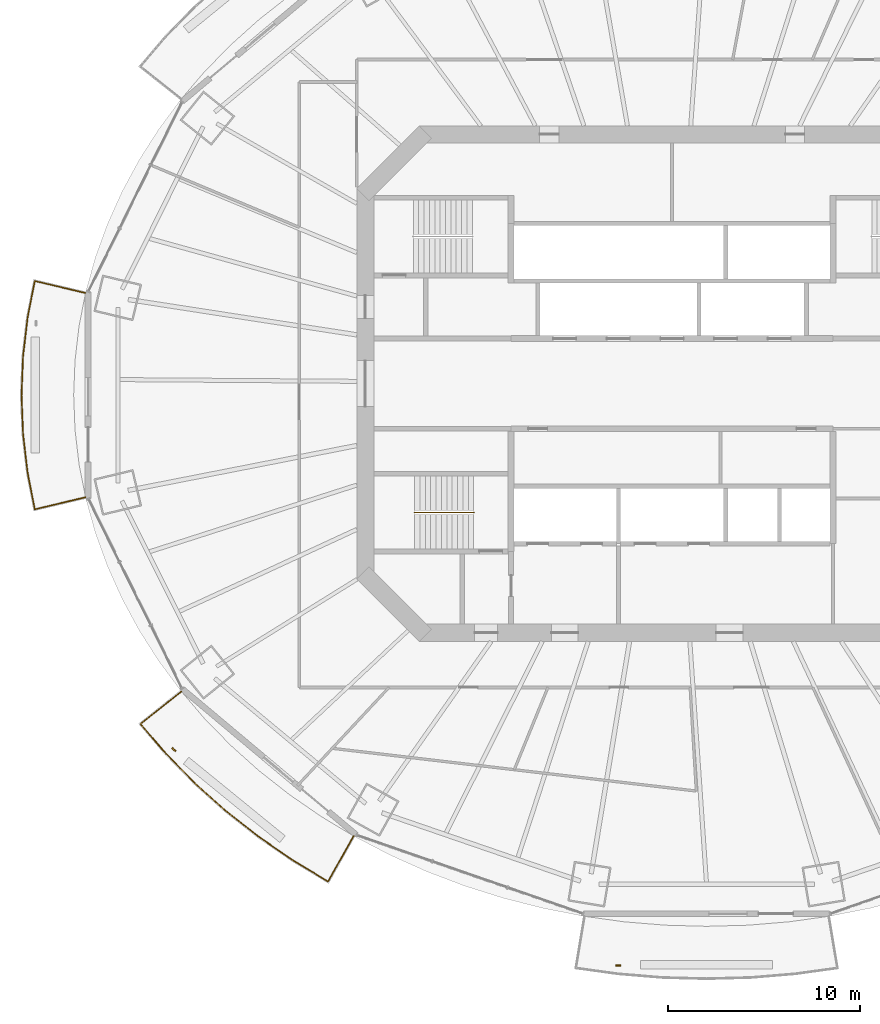
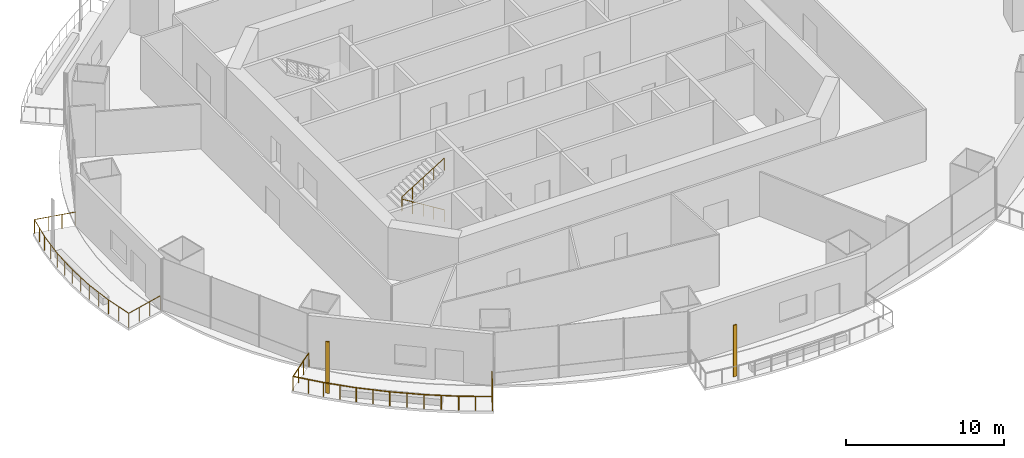
# One storey, part 16 of 21: 3 railings, 2 shading devices.
"""IFC4 building model written with IfcOpenShell, lengths in metres."""

from ifc_helpers import new_model, si_unit, direction, frame, origin, origin_2d, place, context, subcontext, project, spatial, rectangle, circle, extrude, material, material_profile, profile_set, type_object, element, save


model = new_model("IFC4")

# Units and contexts
model_context = context("Model", 3, precision=1e-05, world=origin(), true_north=direction((0.0, 1.0)))
body_context = subcontext(model_context, "Body", "Model", "MODEL_VIEW")
ifc_project = project(units=[si_unit("LENGTHUNIT", "METRE"), si_unit("AREAUNIT", "SQUARE_METRE"), si_unit("VOLUMEUNIT", "CUBIC_METRE"), si_unit("PLANEANGLEUNIT", "RADIAN"), si_unit("MASSUNIT", "GRAM", prefix="KILO")], contexts=[model_context])

# Site, building, storey
site_placement = place(None, origin())
site = spatial("IfcSite", under=ifc_project, at=site_placement, CompositionType="ELEMENT")
building_placement = place(site_placement, origin())
building = spatial("IfcBuilding", under=site, at=building_placement, Name="Marenthal Gate Tower", CompositionType="ELEMENT")
storey_placement = place(building_placement, frame((0.0, 0.0, 165.199951171875)))
storey = spatial("IfcBuildingStorey", under=building, at=storey_placement, Name="L35", CompositionType="ELEMENT", Elevation=165.199951171875)

# Railings
ifc_material_1 = material(Name="Stainless steel", Category="steel")
railing_type_1 = type_object("IfcRailingType", Name="Balcony guard 1100", PredefinedType="GUARDRAIL", material=ifc_material_1)
railing_1_placement = place(storey_placement, frame((-30.60302734375, -5.928466796875, 0.0)))
element("IfcRailing", 1, at=railing_1_placement, inside=storey, type_object=railing_type_1, Name="Balcony guard L35 bay 8", PredefinedType="GUARDRAIL", context=body_context, shape_type="SweptSolid", body=[
    extrude(circle(Radius=0.02392578125, at=origin_2d()), frame((0.0, 0.0, 1.076171875), z_axis=(-0.972987052972, -0.230389979244, -0.014719110478), x_axis=(0.230414940549, -0.973092470001, 0.0)), (0.0, 0.0, 1.0), 2.72021484375),
    extrude(circle(Radius=0.02392578125, at=origin_2d()), frame((-2.646728515625, -0.626708984375, 1.0361328125), z_axis=(-0.19149861164, 0.981492884202, 0.0), x_axis=(-0.981492884202, -0.19149861164, 0.0)), (0.0, 0.0, 1.0), 1.953125),
    extrude(circle(Radius=0.02392578125, at=origin_2d()), frame((-3.020751953125, 1.290283203125, 1.0361328125), z_axis=(-0.116533907745, 0.993186713738, 0.0), x_axis=(-0.993186713738, -0.116533907745, 0.0)), (0.0, 0.0, 1.0), 2.028076171875),
    extrude(circle(Radius=0.02392578125, at=origin_2d()), frame((-3.257080078125, 3.304443359375, 1.0361328125), z_axis=(-0.038933064912, 0.99924182081, 0.0), x_axis=(-0.99924182081, -0.038933064912, 0.0)), (0.0, 0.0, 1.0), 2.025390625),
    extrude(circle(Radius=0.02392578125, at=origin_2d()), frame((-3.3359375, 5.328369140625, 1.0361328125), z_axis=(0.038928376206, 0.999242003484, 0.0), x_axis=(-0.999242003484, 0.038928376206, 0.0)), (0.0, 0.0, 1.0), 2.025634765625),
    extrude(circle(Radius=0.02392578125, at=origin_2d()), frame((-3.257080078125, 7.3525390625, 1.0361328125), z_axis=(0.116533907745, 0.993186713738, 0.0), x_axis=(-0.993186713738, 0.116533907745, 0.0)), (0.0, 0.0, 1.0), 2.028076171875),
    extrude(circle(Radius=0.02392578125, at=origin_2d()), frame((-3.020751953125, 9.36669921875, 1.0361328125), z_axis=(0.19149861164, 0.981492884202, 0.0), x_axis=(-0.981492884202, 0.19149861164, 0.0)), (0.0, 0.0, 1.0), 1.953125),
    extrude(circle(Radius=0.02392578125, at=origin_2d()), frame((-2.646728515625, 11.28369140625, 1.0361328125), z_axis=(0.972987052972, -0.230389979244, 0.014719110478), x_axis=(0.230414940549, 0.973092470001, 0.0)), (0.0, 0.0, 1.0), 2.72021484375),
    extrude(circle(Radius=0.02099609375, at=origin_2d()), origin(), (0.0, 0.0, 1.0), 1.052001953125),
    extrude(circle(Radius=0.02099609375, at=origin_2d()), frame((-0.88232421875, -0.208984375, -0.013427734375)), (0.0, 0.0, 1.0), 1.052001953125),
    extrude(circle(Radius=0.02099609375, at=origin_2d()), frame((-1.764404296875, -0.417724609375, -0.026611328125)), (0.0, 0.0, 1.0), 1.052001953125),
    extrude(circle(Radius=0.02099609375, at=origin_2d()), frame((-2.646728515625, -0.626708984375, -0.0400390625)), (0.0, 0.0, 1.0), 1.052001953125),
    extrude(circle(Radius=0.02099609375, at=origin_2d()), frame((-2.833740234375, 0.331787109375, -0.0400390625)), (0.0, 0.0, 1.0), 1.052001953125),
    extrude(circle(Radius=0.02099609375, at=origin_2d()), frame((-3.020751953125, 1.290283203125, -0.0400390625)), (0.0, 0.0, 1.0), 1.052001953125),
    extrude(circle(Radius=0.02099609375, at=origin_2d()), frame((-3.138916015625, 2.29736328125, -0.0400390625)), (0.0, 0.0, 1.0), 1.052001953125),
    extrude(circle(Radius=0.02099609375, at=origin_2d()), frame((-3.257080078125, 3.304443359375, -0.0400390625)), (0.0, 0.0, 1.0), 1.052001953125),
    extrude(circle(Radius=0.02099609375, at=origin_2d()), frame((-3.29638671875, 4.31640625, -0.0400390625)), (0.0, 0.0, 1.0), 1.052001953125),
    extrude(circle(Radius=0.02099609375, at=origin_2d()), frame((-3.3359375, 5.328369140625, -0.0400390625)), (0.0, 0.0, 1.0), 1.052001953125),
    extrude(circle(Radius=0.02099609375, at=origin_2d()), frame((-3.29638671875, 6.34033203125, -0.0400390625)), (0.0, 0.0, 1.0), 1.052001953125),
    extrude(circle(Radius=0.02099609375, at=origin_2d()), frame((-3.257080078125, 7.3525390625, -0.0400390625)), (0.0, 0.0, 1.0), 1.052001953125),
    extrude(circle(Radius=0.02099609375, at=origin_2d()), frame((-3.138916015625, 8.359619140625, -0.0400390625)), (0.0, 0.0, 1.0), 1.052001953125),
    extrude(circle(Radius=0.02099609375, at=origin_2d()), frame((-3.020751953125, 9.36669921875, -0.0400390625)), (0.0, 0.0, 1.0), 1.052001953125),
    extrude(circle(Radius=0.02099609375, at=origin_2d()), frame((-2.833740234375, 10.3251953125, -0.0400390625)), (0.0, 0.0, 1.0), 1.052001953125),
    extrude(circle(Radius=0.02099609375, at=origin_2d()), frame((-2.646728515625, 11.28369140625, -0.0400390625)), (0.0, 0.0, 1.0), 1.052001953125),
    extrude(circle(Radius=0.02099609375, at=origin_2d()), frame((-1.764404296875, 11.07470703125, -0.026611328125)), (0.0, 0.0, 1.0), 1.052001953125),
    extrude(circle(Radius=0.02099609375, at=origin_2d()), frame((-0.88232421875, 10.865966796875, -0.013427734375)), (0.0, 0.0, 1.0), 1.052001953125),
    extrude(circle(Radius=0.02099609375, at=origin_2d()), frame((0.0, 10.656982421875, 0.0)), (0.0, 0.0, 1.0), 1.052001953125),
])
railing_2_placement = place(storey_placement, frame((-16.6142578125, -23.6025390625, 0.0)))
element("IfcRailing", 2, at=railing_2_placement, inside=storey, type_object=railing_type_1, Name="Balcony guard L35 bay 10", PredefinedType="GUARDRAIL", context=body_context, shape_type="SweptSolid", body=[
    extrude(circle(Radius=0.02392578125, at=origin_2d()), frame((0.0, 0.0, 1.076171875), z_axis=(-0.4893727887, -0.871950488724, -0.014717978608), x_axis=(0.872044944545, -0.489425801009, 0.0)), (0.0, 0.0, 1.0), 2.720458984375),
    extrude(circle(Radius=0.02392578125, at=origin_2d()), frame((-1.331298828125, -2.3720703125, 1.0361328125), z_axis=(-0.856310567602, 0.516461239411, 0.0), x_axis=(-0.516461239411, -0.856310567602, 0.0)), (0.0, 0.0, 1.0), 2.1357421875),
    extrude(circle(Radius=0.02392578125, at=origin_2d()), frame((-3.16015625, -1.26904296875, 1.0361328125), z_axis=(-0.823545660097, 0.567249985223, 0.0), x_axis=(-0.567249985223, -0.823545660097, 0.0)), (0.0, 0.0, 1.0), 2.197509765625),
    extrude(circle(Radius=0.02392578125, at=origin_2d()), frame((-4.969970703125, -0.0224609375, 1.0361328125), z_axis=(-0.786162827468, 0.618019424215, 0.0), x_axis=(-0.618019424215, -0.786162827468, 0.0)), (0.0, 0.0, 1.0), 2.179443359375),
    extrude(circle(Radius=0.02392578125, at=origin_2d()), frame((-6.683349609375, 1.324462890625, 1.0361328125), z_axis=(-0.744697255009, 0.667402426113, 0.0), x_axis=(-0.667402426113, -0.744697255009, 0.0)), (0.0, 0.0, 1.0), 2.160400390625),
    extrude(circle(Radius=0.02392578125, at=origin_2d()), frame((-8.292236328125, 2.766357421875, 1.0361328125), z_axis=(-0.699083967081, 0.715039584198, 0.0), x_axis=(-0.715039584198, -0.699083967081, 0.0)), (0.0, 0.0, 1.0), 2.14208984375),
    extrude(circle(Radius=0.02392578125, at=origin_2d()), frame((-9.789794921875, 4.298095703125, 1.0361328125), z_axis=(-0.650279703498, 0.759694877709, 0.0), x_axis=(-0.759694877709, -0.650279703498, 0.0)), (0.0, 0.0, 1.0), 2.0439453125),
    extrude(circle(Radius=0.02392578125, at=origin_2d()), frame((-11.118896484375, 5.850830078125, 1.0361328125), z_axis=(0.782541115897, 0.622424892619, 0.014719204382), x_axis=(-0.622492329303, 0.782625900388, 0.0)), (0.0, 0.0, 1.0), 2.72021484375),
    extrude(circle(Radius=0.02099609375, at=origin_2d()), origin(), (0.0, 0.0, 1.0), 1.052001953125),
    extrude(circle(Radius=0.02099609375, at=origin_2d()), frame((-0.44384765625, -0.790771484375, -0.013427734375)), (0.0, 0.0, 1.0), 1.052001953125),
    extrude(circle(Radius=0.02099609375, at=origin_2d()), frame((-0.887451171875, -1.581298828125, -0.026611328125)), (0.0, 0.0, 1.0), 1.052001953125),
    extrude(circle(Radius=0.02099609375, at=origin_2d()), frame((-1.331298828125, -2.3720703125, -0.0400390625)), (0.0, 0.0, 1.0), 1.052001953125),
    extrude(circle(Radius=0.02099609375, at=origin_2d()), frame((-2.24560546875, -1.820556640625, -0.0400390625)), (0.0, 0.0, 1.0), 1.052001953125),
    extrude(circle(Radius=0.02099609375, at=origin_2d()), frame((-3.16015625, -1.26904296875, -0.0400390625)), (0.0, 0.0, 1.0), 1.052001953125),
    extrude(circle(Radius=0.02099609375, at=origin_2d()), frame((-4.06494140625, -0.645751953125, -0.0400390625)), (0.0, 0.0, 1.0), 1.052001953125),
    extrude(circle(Radius=0.02099609375, at=origin_2d()), frame((-4.969970703125, -0.0224609375, -0.0400390625)), (0.0, 0.0, 1.0), 1.052001953125),
    extrude(circle(Radius=0.02099609375, at=origin_2d()), frame((-5.82666015625, 0.65087890625, -0.0400390625)), (0.0, 0.0, 1.0), 1.052001953125),
    extrude(circle(Radius=0.02099609375, at=origin_2d()), frame((-6.683349609375, 1.324462890625, -0.0400390625)), (0.0, 0.0, 1.0), 1.052001953125),
    extrude(circle(Radius=0.02099609375, at=origin_2d()), frame((-7.48779296875, 2.04541015625, -0.0400390625)), (0.0, 0.0, 1.0), 1.052001953125),
    extrude(circle(Radius=0.02099609375, at=origin_2d()), frame((-8.292236328125, 2.766357421875, -0.0400390625)), (0.0, 0.0, 1.0), 1.052001953125),
    extrude(circle(Radius=0.02099609375, at=origin_2d()), frame((-9.041015625, 3.5322265625, -0.0400390625)), (0.0, 0.0, 1.0), 1.052001953125),
    extrude(circle(Radius=0.02099609375, at=origin_2d()), frame((-9.789794921875, 4.298095703125, -0.0400390625)), (0.0, 0.0, 1.0), 1.052001953125),
    extrude(circle(Radius=0.02099609375, at=origin_2d()), frame((-10.454345703125, 5.074462890625, -0.0400390625)), (0.0, 0.0, 1.0), 1.052001953125),
    extrude(circle(Radius=0.02099609375, at=origin_2d()), frame((-11.118896484375, 5.850830078125, -0.0400390625)), (0.0, 0.0, 1.0), 1.052001953125),
    extrude(circle(Radius=0.02099609375, at=origin_2d()), frame((-10.409423828125, 6.415283203125, -0.026611328125)), (0.0, 0.0, 1.0), 1.052001953125),
    extrude(circle(Radius=0.02099609375, at=origin_2d()), frame((-9.69970703125, 6.9794921875, -0.013427734375)), (0.0, 0.0, 1.0), 1.052001953125),
    extrude(circle(Radius=0.02099609375, at=origin_2d()), frame((-8.990234375, 7.5439453125, 0.0)), (0.0, 0.0, 1.0), 1.052001953125),
])
ifc_material_2 = material(Name="Stainless steel", Category="steel")
railing_type_2 = type_object("IfcRailingType", Name="Stair handrail", PredefinedType="HANDRAIL", material=ifc_material_2)
railing_3_placement = place(storey_placement, frame((-10.35009765625, -6.72509765625, 0.1728515625)))
element("IfcRailing", 3, at=railing_3_placement, inside=storey, type_object=railing_type_2, Name="Handrail ST2", PredefinedType="HANDRAIL", context=body_context, shape_type="SweptSolid", body=[
    extrude(circle(Radius=0.0224609375, at=origin_2d()), frame((0.0, 0.0, 0.927490234375), z_axis=(-0.850816621229, 0.0, 0.525462726595), x_axis=(0.0, -1.0, 0.0)), (0.0, 0.0, 1.0), 3.619873046875),
    extrude(circle(Radius=0.0224609375, at=origin_2d()), frame((-3.079833984375, 0.0, 2.82958984375), z_axis=(0.0, 0.0, 1.0), x_axis=(1.0, 0.0, 0.0)), (0.0, 0.0, 1.0), 0.173095703125),
    extrude(circle(Radius=0.0224609375, at=origin_2d()), frame((-3.079833984375, 0.0, 3.002685546875), z_axis=(0.850816621229, 0.0, 0.525462726595), x_axis=(0.0, 1.0, 0.0)), (0.0, 0.0, 1.0), 3.619873046875),
    extrude(circle(Radius=0.02001953125, at=origin_2d()), origin(), (0.0, 0.0, 1.0), 0.905029296875),
    extrude(circle(Radius=0.02001953125, at=origin_2d()), frame((-0.77001953125, 0.0, 0.4755859375)), (0.0, 0.0, 1.0), 0.905029296875),
    extrude(circle(Radius=0.02001953125, at=origin_2d()), frame((-1.5400390625, 0.0, 0.951171875)), (0.0, 0.0, 1.0), 0.905029296875),
    extrude(circle(Radius=0.02001953125, at=origin_2d()), frame((-2.309814453125, 0.0, 1.426513671875)), (0.0, 0.0, 1.0), 0.905029296875),
    extrude(circle(Radius=0.02001953125, at=origin_2d()), frame((-3.079833984375, 0.0, 1.902099609375)), (0.0, 0.0, 1.0), 0.905029296875),
    extrude(circle(Radius=0.02001953125, at=origin_2d()), frame((-3.079833984375, 0.0, 2.0751953125)), (0.0, 0.0, 1.0), 0.905029296875),
    extrude(circle(Radius=0.02001953125, at=origin_2d()), frame((-2.309814453125, 0.0, 2.55078125)), (0.0, 0.0, 1.0), 0.905029296875),
    extrude(circle(Radius=0.02001953125, at=origin_2d()), frame((-1.5400390625, 0.0, 3.0263671875)), (0.0, 0.0, 1.0), 0.905029296875),
    extrude(circle(Radius=0.02001953125, at=origin_2d()), frame((-0.77001953125, 0.0, 3.501708984375)), (0.0, 0.0, 1.0), 0.905029296875),
    extrude(circle(Radius=0.02001953125, at=origin_2d()), frame((0.0, 0.0, 3.977294921875)), (0.0, 0.0, 1.0), 0.905029296875),
])

# Shading devices
ifc_material_3 = material(Name="Terracotta", Category="masonry")
ifc_material_profile = material_profile(ifc_material_3, rectangle(XDim=0.25, YDim=0.080078125, at=origin_2d()), Name="Terracotta baguette 250x80")
ifc_profile_set = profile_set([ifc_material_profile], Name="Terracotta")
shading_device_type = type_object("IfcShadingDeviceType", Name="Terracotta BAGUETTE SCREEN 250x80", PredefinedType="USERDEFINED", material=ifc_profile_set)
for number, where, z_axis, x_axis, name in (
    (4, (-25.990478515625, -19.09130859375, -0.0400390625), (0.0, 0.0, 1.0), (0.765921119211, -0.642934552771, 0.0), "Terracotta BAGUETTE L35 bay 10L"),
    (5, (-2.802734375, -30.35595703125, -0.0400390625), (0.0, 0.0, 1.0), (1.0, 0.0, 0.0), "Terracotta BAGUETTE L35 bay 12L"),
):
    element("IfcShadingDevice", number, at=place(storey_placement, frame(where, z_axis=z_axis, x_axis=x_axis)), inside=storey, type_object=shading_device_type, Name=name, ObjectType="BAGUETTE SCREEN", PredefinedType="USERDEFINED", context=body_context, shape_type="SweptSolid", body=[
        extrude(rectangle(XDim=0.25, YDim=0.080078125, at=origin_2d()), origin(), (0.0, 0.0, 1.0), 3.969970703125),
    ])

save(model, "model.ifc")
